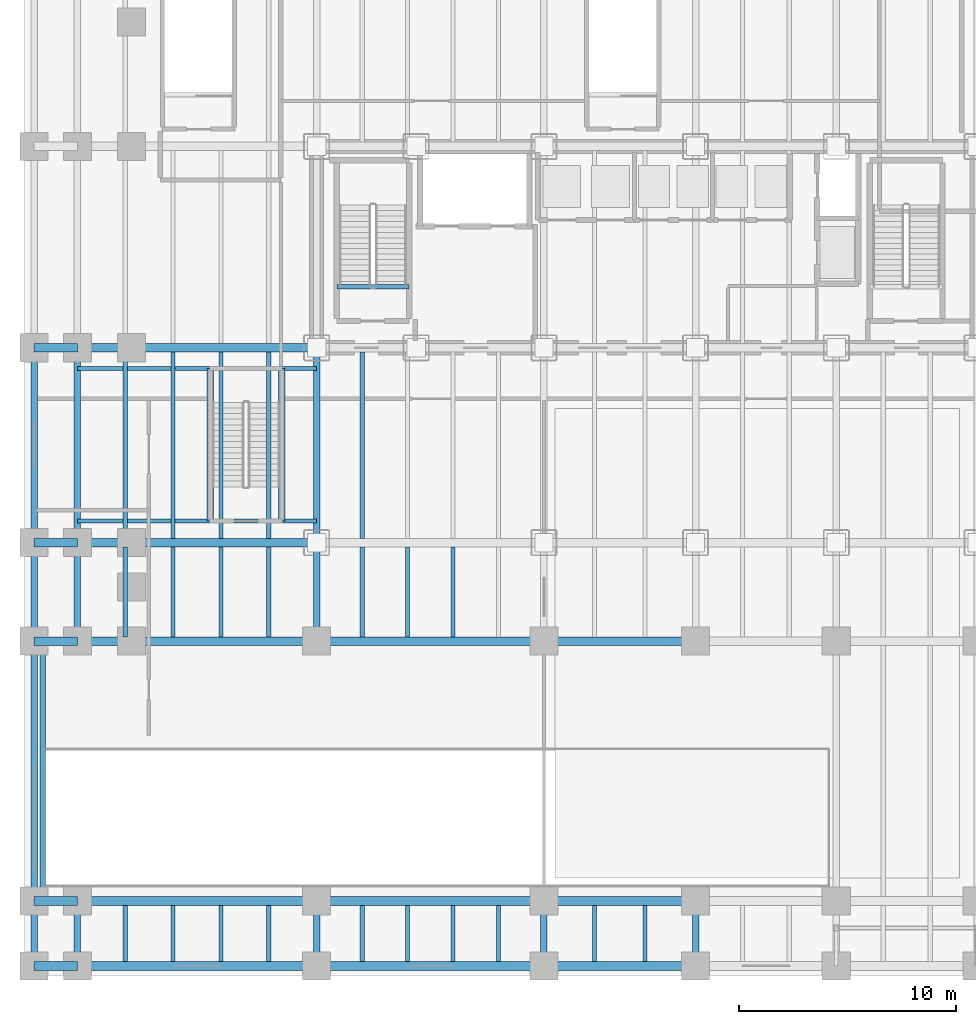
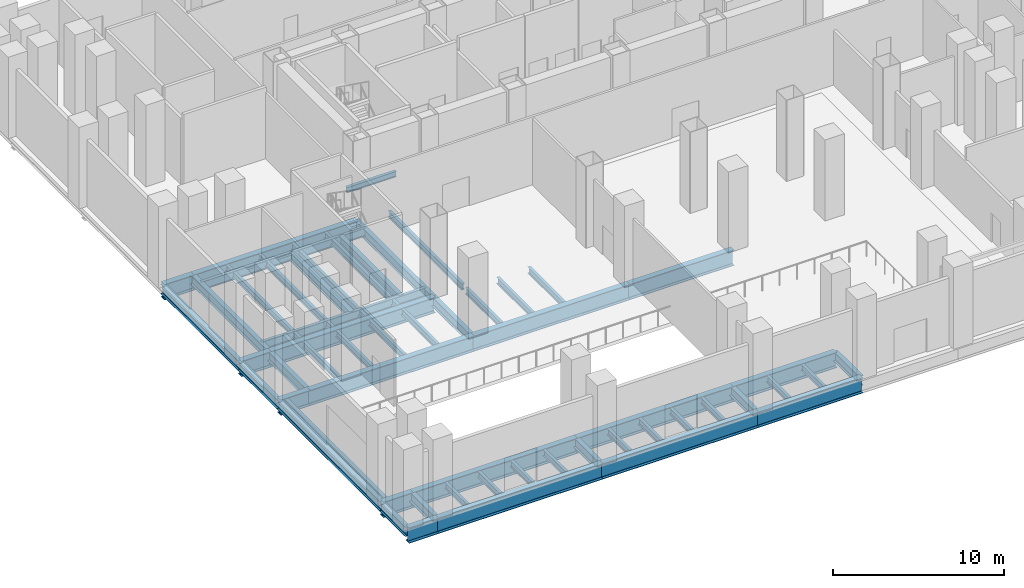
# One storey, part 6 of 36: 56 beams.
"""IFC4 building model written with IfcOpenShell, lengths in metres."""

from ifc_helpers import new_model, si_unit, direction, frame, origin, origin_2d, place, context, subcontext, project, spatial, i_section, extrude, material, material_profile, profile_set, type_object, element, save


model = new_model("IFC4")

# Units and contexts
model_context = context("Model", 3, precision=1e-05, world=origin(), true_north=direction((0.0, 1.0)))
body_context = subcontext(model_context, "Body", "Model", "MODEL_VIEW")
ifc_project = project(units=[si_unit("LENGTHUNIT", "METRE"), si_unit("AREAUNIT", "SQUARE_METRE"), si_unit("VOLUMEUNIT", "CUBIC_METRE"), si_unit("PLANEANGLEUNIT", "RADIAN"), si_unit("MASSUNIT", "GRAM", prefix="KILO")], contexts=[model_context])

# Site, building, storey
site_placement = place(None, origin())
site = spatial("IfcSite", under=ifc_project, at=site_placement, CompositionType="ELEMENT")
building_placement = place(site_placement, origin())
building = spatial("IfcBuilding", under=site, at=building_placement, Name="Noeulbin Bourse Tower", CompositionType="ELEMENT")
storey_placement = place(building_placement, origin())
storey = spatial("IfcBuildingStorey", under=building, at=storey_placement, Name="L01", CompositionType="ELEMENT", Elevation=0.0)

# Beams
ifc_material_1 = material(Name="Steel S355", Category="steel")
ifc_material_profile_1 = material_profile(ifc_material_1, i_section(OverallWidth=0.300048828125, OverallDepth=0.587890625, WebThickness=0.011962890625, FlangeThickness=0.02001953125, FilletRadius=0.02392578125, at=origin_2d()), Name="H-588x300x12x20", Category="LoadBearing")
ifc_profile_set_1 = profile_set([ifc_material_profile_1], Name="Steel S355")
beam_type_1 = type_object("IfcBeamType", Name="BM-GRD-588", PredefinedType="USERDEFINED", material=ifc_profile_set_1)
for number, where, z_axis, x_axis, name in (
    (1, (8.580078125, 21.0, -0.5439453125), (0.0, 1.0, 0.0), (-1.0, 0.0, 0.0), "Stair Shaft Tie Beam STP1-X1"),
    (2, (11.89990234375, 21.0, -0.5439453125), (0.0, 1.0, 0.0), (-1.0, 0.0, 0.0), "Stair Shaft Tie Beam STP1-X2"),
):
    element("IfcBeam", number, at=place(storey_placement, frame(where, z_axis=z_axis, x_axis=x_axis)), inside=storey, type_object=beam_type_1, Name=name, ObjectType="GIRDER", PredefinedType="USERDEFINED", context=body_context, shape_type="SweptSolid", body=[
        extrude(i_section(OverallWidth=0.300048828125, OverallDepth=0.587890625, WebThickness=0.011962890625, FlangeThickness=0.02001953125, FilletRadius=0.02392578125, at=origin_2d()), origin(), (0.0, 0.0, 1.0), 7.0400390625),
    ])
ifc_material_profile_2 = material_profile(ifc_material_1, i_section(OverallWidth=0.199951171875, OverallDepth=0.60009765625, WebThickness=0.010986328125, FlangeThickness=0.01708984375, FilletRadius=0.02197265625, at=origin_2d()), Name="H-600x200x11x17", Category="LoadBearing")
ifc_profile_set_2 = profile_set([ifc_material_profile_2], Name="Steel S355")
beam_type_2 = type_object("IfcBeamType", Name="BM-GRD-600", PredefinedType="USERDEFINED", material=ifc_profile_set_2)
for number, where, z_axis, x_axis, name in (
    (3, (2.449951171875, 21.0, -0.550048828125), (1.0, 0.0, 0.0), (0.0, 1.0, 0.0), "Stair Shaft Support Girder STP1-Y1"),
    (4, (2.449951171875, 28.0400390625, -0.550048828125), (1.0, 0.0, 0.0), (0.0, 1.0, 0.0), "Stair Shaft Support Girder STP1-Y2"),
):
    element("IfcBeam", number, at=place(storey_placement, frame(where, z_axis=z_axis, x_axis=x_axis)), inside=storey, type_object=beam_type_2, Name=name, ObjectType="GIRDER", PredefinedType="USERDEFINED", context=body_context, shape_type="SweptSolid", body=[
        extrude(i_section(OverallWidth=0.199951171875, OverallDepth=0.60009765625, WebThickness=0.010986328125, FlangeThickness=0.01708984375, FilletRadius=0.02197265625, at=origin_2d()), origin(), (0.0, 0.0, 1.0), 11.050048828125),
    ])
ifc_material_profile_3 = material_profile(ifc_material_1, i_section(OverallWidth=0.300048828125, OverallDepth=0.699951171875, WebThickness=0.012939453125, FlangeThickness=0.02392578125, FilletRadius=0.02392578125, at=origin_2d()), Name="H-700x300x13x24", Category="LoadBearing")
ifc_profile_set_3 = profile_set([ifc_material_profile_3], Name="Steel S355")
beam_type_3 = type_object("IfcBeamType", Name="BM-GRD-700", PredefinedType="USERDEFINED", material=ifc_profile_set_3)
beam_1_placement = place(storey_placement, frame((0.449951171875, 0.449951171875, -0.60009765625), z_axis=(0.0, 1.0, 0.0), x_axis=(-1.0, 0.0, 0.0)))
element("IfcBeam", 5, at=beam_1_placement, inside=storey, type_object=beam_type_3, Name="Podium Primary Girder NS L01-073", ObjectType="GIRDER", PredefinedType="USERDEFINED", context=body_context, shape_type="SweptSolid", body=[
    extrude(i_section(OverallWidth=0.300048828125, OverallDepth=0.699951171875, WebThickness=0.012939453125, FlangeThickness=0.02392578125, FilletRadius=0.02392578125, at=origin_2d()), origin(), (0.0, 0.0, 1.0), 3.0),
])
beam_2_placement = place(storey_placement, frame((0.449951171875, 3.449951171875, -0.60009765625), z_axis=(0.0, 1.0, 0.0), x_axis=(-1.0, 0.0, 0.0)))
element("IfcBeam", 6, at=beam_2_placement, inside=storey, type_object=beam_type_3, Name="Podium Primary Girder NS L01-074", ObjectType="GIRDER", PredefinedType="USERDEFINED", context=body_context, shape_type="SweptSolid", body=[
    extrude(i_section(OverallWidth=0.300048828125, OverallDepth=0.699951171875, WebThickness=0.012939453125, FlangeThickness=0.02392578125, FilletRadius=0.02392578125, at=origin_2d()), origin(), (0.0, 0.0, 1.0), 12.0),
])
beam_3_placement = place(storey_placement, frame((0.449951171875, 15.449951171875, -0.60009765625), z_axis=(0.0, 1.0, 0.0), x_axis=(-1.0, 0.0, 0.0)))
element("IfcBeam", 7, at=beam_3_placement, inside=storey, type_object=beam_type_3, Name="Podium Primary Girder NS L01-075", ObjectType="GIRDER", PredefinedType="USERDEFINED", context=body_context, shape_type="SweptSolid", body=[
    extrude(i_section(OverallWidth=0.300048828125, OverallDepth=0.699951171875, WebThickness=0.012939453125, FlangeThickness=0.02392578125, FilletRadius=0.02392578125, at=origin_2d()), origin(), (0.0, 0.0, 1.0), 4.550048828125),
])
beam_4_placement = place(storey_placement, frame((0.449951171875, 20.0, -0.60009765625), z_axis=(0.0, 1.0, 0.0), x_axis=(-1.0, 0.0, 0.0)))
element("IfcBeam", 8, at=beam_4_placement, inside=storey, type_object=beam_type_3, Name="Podium Primary Girder NS L01-076", ObjectType="GIRDER", PredefinedType="USERDEFINED", context=body_context, shape_type="SweptSolid", body=[
    extrude(i_section(OverallWidth=0.300048828125, OverallDepth=0.699951171875, WebThickness=0.012939453125, FlangeThickness=0.02392578125, FilletRadius=0.02392578125, at=origin_2d()), origin(), (0.0, 0.0, 1.0), 9.0),
])
beam_5_placement = place(storey_placement, frame((2.449951171875, 0.449951171875, -0.60009765625), z_axis=(0.0, 1.0, 0.0), x_axis=(-1.0, 0.0, 0.0)))
element("IfcBeam", 9, at=beam_5_placement, inside=storey, type_object=beam_type_3, Name="Podium Primary Girder NS L01-081", ObjectType="GIRDER", PredefinedType="USERDEFINED", context=body_context, shape_type="SweptSolid", body=[
    extrude(i_section(OverallWidth=0.300048828125, OverallDepth=0.699951171875, WebThickness=0.012939453125, FlangeThickness=0.02392578125, FilletRadius=0.02392578125, at=origin_2d()), origin(), (0.0, 0.0, 1.0), 3.0),
])
beam_6_placement = place(storey_placement, frame((2.449951171875, 15.449951171875, -0.60009765625), z_axis=(0.0, 1.0, 0.0), x_axis=(-1.0, 0.0, 0.0)))
element("IfcBeam", 10, at=beam_6_placement, inside=storey, type_object=beam_type_3, Name="Podium Primary Girder NS L01-082", ObjectType="GIRDER", PredefinedType="USERDEFINED", context=body_context, shape_type="SweptSolid", body=[
    extrude(i_section(OverallWidth=0.300048828125, OverallDepth=0.699951171875, WebThickness=0.012939453125, FlangeThickness=0.02392578125, FilletRadius=0.02392578125, at=origin_2d()), origin(), (0.0, 0.0, 1.0), 4.550048828125),
])
beam_7_placement = place(storey_placement, frame((2.449951171875, 20.0, -0.60009765625), z_axis=(0.0, 1.0, 0.0), x_axis=(-1.0, 0.0, 0.0)))
element("IfcBeam", 11, at=beam_7_placement, inside=storey, type_object=beam_type_3, Name="Podium Primary Girder NS L01-083", ObjectType="GIRDER", PredefinedType="USERDEFINED", context=body_context, shape_type="SweptSolid", body=[
    extrude(i_section(OverallWidth=0.300048828125, OverallDepth=0.699951171875, WebThickness=0.012939453125, FlangeThickness=0.02392578125, FilletRadius=0.02392578125, at=origin_2d()), origin(), (0.0, 0.0, 1.0), 9.0),
])
beam_8_placement = place(storey_placement, frame((13.5, 0.449951171875, -0.60009765625), z_axis=(0.0, 1.0, 0.0), x_axis=(-1.0, 0.0, 0.0)))
element("IfcBeam", 12, at=beam_8_placement, inside=storey, type_object=beam_type_3, Name="Podium Primary Girder NS L01-088", ObjectType="GIRDER", PredefinedType="USERDEFINED", context=body_context, shape_type="SweptSolid", body=[
    extrude(i_section(OverallWidth=0.300048828125, OverallDepth=0.699951171875, WebThickness=0.012939453125, FlangeThickness=0.02392578125, FilletRadius=0.02392578125, at=origin_2d()), origin(), (0.0, 0.0, 1.0), 3.0),
])
beam_9_placement = place(storey_placement, frame((13.5, 15.449951171875, -0.60009765625), z_axis=(0.0, 1.0, 0.0), x_axis=(-1.0, 0.0, 0.0)))
element("IfcBeam", 13, at=beam_9_placement, inside=storey, type_object=beam_type_3, Name="Podium Primary Girder NS L01-089", ObjectType="GIRDER", PredefinedType="USERDEFINED", context=body_context, shape_type="SweptSolid", body=[
    extrude(i_section(OverallWidth=0.300048828125, OverallDepth=0.699951171875, WebThickness=0.012939453125, FlangeThickness=0.02392578125, FilletRadius=0.02392578125, at=origin_2d()), origin(), (0.0, 0.0, 1.0), 4.550048828125),
])
beam_10_placement = place(storey_placement, frame((13.5, 20.0, -0.60009765625), z_axis=(0.0, 1.0, 0.0), x_axis=(-1.0, 0.0, 0.0)))
element("IfcBeam", 14, at=beam_10_placement, inside=storey, type_object=beam_type_3, Name="Podium Primary Girder NS L01-090", ObjectType="GIRDER", PredefinedType="USERDEFINED", context=body_context, shape_type="SweptSolid", body=[
    extrude(i_section(OverallWidth=0.300048828125, OverallDepth=0.699951171875, WebThickness=0.012939453125, FlangeThickness=0.02392578125, FilletRadius=0.02392578125, at=origin_2d()), origin(), (0.0, 0.0, 1.0), 9.0),
])
for number, where, z_axis, x_axis, name in (
    (15, (24.0, 0.449951171875, -0.60009765625), (0.0, 1.0, 0.0), (-1.0, 0.0, 0.0), "Podium Primary Girder NS L01-095"),
    (16, (31.0, 0.449951171875, -0.60009765625), (0.0, 1.0, 0.0), (-1.0, 0.0, 0.0), "Podium Primary Girder NS L01-102"),
):
    element("IfcBeam", number, at=place(storey_placement, frame(where, z_axis=z_axis, x_axis=x_axis)), inside=storey, type_object=beam_type_3, Name=name, ObjectType="GIRDER", PredefinedType="USERDEFINED", context=body_context, shape_type="SweptSolid", body=[
        extrude(i_section(OverallWidth=0.300048828125, OverallDepth=0.699951171875, WebThickness=0.012939453125, FlangeThickness=0.02392578125, FilletRadius=0.02392578125, at=origin_2d()), origin(), (0.0, 0.0, 1.0), 3.0),
    ])
ifc_material_profile_4 = material_profile(ifc_material_1, i_section(OverallWidth=0.25, OverallDepth=0.75, WebThickness=0.012939453125, FlangeThickness=0.02392578125, FilletRadius=0.02392578125, at=origin_2d()), Name="H-750x250x13x24", Category="LoadBearing")
ifc_profile_set_4 = profile_set([ifc_material_profile_4], Name="Steel S355")
beam_type_4 = type_object("IfcBeamType", Name="BM-GRD-750", PredefinedType="USERDEFINED", material=ifc_profile_set_4)
beam_11_placement = place(storey_placement, frame((0.85009765625, 3.449951171875, -0.675048828125), z_axis=(0.0, 1.0, 0.0), x_axis=(-1.0, 0.0, 0.0)))
element("IfcBeam", 17, at=beam_11_placement, inside=storey, type_object=beam_type_4, Name="BM-L01-RMP-HDR-W2", ObjectType="GIRDER", PredefinedType="USERDEFINED", context=body_context, shape_type="SweptSolid", body=[
    extrude(i_section(OverallWidth=0.25, OverallDepth=0.75, WebThickness=0.012939453125, FlangeThickness=0.02392578125, FilletRadius=0.02392578125, at=origin_2d()), origin(), (0.0, 0.0, 1.0), 12.0),
])
ifc_material_profile_5 = material_profile(ifc_material_1, i_section(OverallWidth=0.199951171875, OverallDepth=0.39990234375, WebThickness=0.008056640625, FlangeThickness=0.012939453125, FilletRadius=0.01611328125, at=origin_2d()), Name="H-400x200x8x13", Category="LoadBearing")
ifc_profile_set_5 = profile_set([ifc_material_profile_5], Name="Steel S355")
beam_type_5 = type_object("IfcBeamType", Name="BM-SEC-400", PredefinedType="BEAM", material=ifc_profile_set_5)
beam_12_placement = place(storey_placement, frame((14.429931640625, 31.820068359375, -0.199951171875), z_axis=(1.0, 0.0, 0.0), x_axis=(0.0, 1.0, 0.0)))
element("IfcBeam", 18, at=beam_12_placement, inside=storey, type_object=beam_type_5, Name="Stair Threshold Trimmer Beam ST1-L01", PredefinedType="BEAM", context=body_context, shape_type="SweptSolid", body=[
    extrude(i_section(OverallWidth=0.199951171875, OverallDepth=0.39990234375, WebThickness=0.008056640625, FlangeThickness=0.012939453125, FilletRadius=0.01611328125, at=origin_2d()), origin(), (0.0, 0.0, 1.0), 3.340087890625),
])
ifc_material_profile_6 = material_profile(ifc_material_1, i_section(OverallWidth=0.199951171875, OverallDepth=0.449951171875, WebThickness=0.009033203125, FlangeThickness=0.013916015625, FilletRadius=0.01806640625, at=origin_2d()), Name="H-450x200x9x14", Category="LoadBearing")
ifc_profile_set_6 = profile_set([ifc_material_profile_6], Name="Steel S355")
beam_type_6 = type_object("IfcBeamType", Name="BM-SEC-450", PredefinedType="BEAM", material=ifc_profile_set_6)
beam_13_placement = place(storey_placement, frame((4.659912109375, 0.64990234375, -0.47509765625), z_axis=(0.0, 1.0, 0.0), x_axis=(-1.0, 0.0, 0.0)))
element("IfcBeam", 19, at=beam_13_placement, inside=storey, type_object=beam_type_6, Name="Podium Secondary Beam L01-001", PredefinedType="BEAM", context=body_context, shape_type="SweptSolid", body=[
    extrude(i_section(OverallWidth=0.199951171875, OverallDepth=0.449951171875, WebThickness=0.009033203125, FlangeThickness=0.013916015625, FilletRadius=0.01806640625, at=origin_2d()), origin(), (0.0, 0.0, 1.0), 2.60009765625),
])
beam_14_placement = place(storey_placement, frame((4.659912109375, 15.64990234375, -0.47509765625), z_axis=(0.0, 1.0, 0.0), x_axis=(-1.0, 0.0, 0.0)))
element("IfcBeam", 20, at=beam_14_placement, inside=storey, type_object=beam_type_6, Name="Podium Secondary Beam L01-002", PredefinedType="BEAM", context=body_context, shape_type="SweptSolid", body=[
    extrude(i_section(OverallWidth=0.199951171875, OverallDepth=0.449951171875, WebThickness=0.009033203125, FlangeThickness=0.013916015625, FilletRadius=0.01806640625, at=origin_2d()), origin(), (0.0, 0.0, 1.0), 4.150146484375),
])
beam_15_placement = place(storey_placement, frame((4.659912109375, 20.199951171875, -0.47509765625), z_axis=(0.0, 1.0, 0.0), x_axis=(-1.0, 0.0, 0.0)))
element("IfcBeam", 21, at=beam_15_placement, inside=storey, type_object=beam_type_6, Name="Podium Secondary Beam L01-003", PredefinedType="BEAM", context=body_context, shape_type="SweptSolid", body=[
    extrude(i_section(OverallWidth=0.199951171875, OverallDepth=0.449951171875, WebThickness=0.009033203125, FlangeThickness=0.013916015625, FilletRadius=0.01806640625, at=origin_2d()), origin(), (0.0, 0.0, 1.0), 8.60009765625),
])
beam_16_placement = place(storey_placement, frame((6.8701171875, 0.64990234375, -0.47509765625), z_axis=(0.0, 1.0, 0.0), x_axis=(-1.0, 0.0, 0.0)))
element("IfcBeam", 22, at=beam_16_placement, inside=storey, type_object=beam_type_6, Name="Podium Secondary Beam L01-008", PredefinedType="BEAM", context=body_context, shape_type="SweptSolid", body=[
    extrude(i_section(OverallWidth=0.199951171875, OverallDepth=0.449951171875, WebThickness=0.009033203125, FlangeThickness=0.013916015625, FilletRadius=0.01806640625, at=origin_2d()), origin(), (0.0, 0.0, 1.0), 2.60009765625),
])
beam_17_placement = place(storey_placement, frame((6.8701171875, 15.64990234375, -0.47509765625), z_axis=(0.0, 1.0, 0.0), x_axis=(-1.0, 0.0, 0.0)))
element("IfcBeam", 23, at=beam_17_placement, inside=storey, type_object=beam_type_6, Name="Podium Secondary Beam L01-009", PredefinedType="BEAM", context=body_context, shape_type="SweptSolid", body=[
    extrude(i_section(OverallWidth=0.199951171875, OverallDepth=0.449951171875, WebThickness=0.009033203125, FlangeThickness=0.013916015625, FilletRadius=0.01806640625, at=origin_2d()), origin(), (0.0, 0.0, 1.0), 4.150146484375),
])
beam_18_placement = place(storey_placement, frame((6.8701171875, 20.199951171875, -0.47509765625), z_axis=(0.0, 1.0, 0.0), x_axis=(-1.0, 0.0, 0.0)))
element("IfcBeam", 24, at=beam_18_placement, inside=storey, type_object=beam_type_6, Name="Podium Secondary Beam L01-010", PredefinedType="BEAM", context=body_context, shape_type="SweptSolid", body=[
    extrude(i_section(OverallWidth=0.199951171875, OverallDepth=0.449951171875, WebThickness=0.009033203125, FlangeThickness=0.013916015625, FilletRadius=0.01806640625, at=origin_2d()), origin(), (0.0, 0.0, 1.0), 8.60009765625),
])
beam_19_placement = place(storey_placement, frame((9.080078125, 0.64990234375, -0.47509765625), z_axis=(0.0, 1.0, 0.0), x_axis=(-1.0, 0.0, 0.0)))
element("IfcBeam", 25, at=beam_19_placement, inside=storey, type_object=beam_type_6, Name="Podium Secondary Beam L01-014", PredefinedType="BEAM", context=body_context, shape_type="SweptSolid", body=[
    extrude(i_section(OverallWidth=0.199951171875, OverallDepth=0.449951171875, WebThickness=0.009033203125, FlangeThickness=0.013916015625, FilletRadius=0.01806640625, at=origin_2d()), origin(), (0.0, 0.0, 1.0), 2.60009765625),
])
beam_20_placement = place(storey_placement, frame((9.080078125, 15.64990234375, -0.47509765625), z_axis=(0.0, 1.0, 0.0), x_axis=(-1.0, 0.0, 0.0)))
element("IfcBeam", 26, at=beam_20_placement, inside=storey, type_object=beam_type_6, Name="Podium Secondary Beam L01-015", PredefinedType="BEAM", context=body_context, shape_type="SweptSolid", body=[
    extrude(i_section(OverallWidth=0.199951171875, OverallDepth=0.449951171875, WebThickness=0.009033203125, FlangeThickness=0.013916015625, FilletRadius=0.01806640625, at=origin_2d()), origin(), (0.0, 0.0, 1.0), 4.150146484375),
])
beam_21_placement = place(storey_placement, frame((9.080078125, 20.199951171875, -0.47509765625), z_axis=(0.0, 1.0, 0.0), x_axis=(-1.0, 0.0, 0.0)))
element("IfcBeam", 27, at=beam_21_placement, inside=storey, type_object=beam_type_6, Name="Podium Secondary Beam L01-016", PredefinedType="BEAM", context=body_context, shape_type="SweptSolid", body=[
    extrude(i_section(OverallWidth=0.199951171875, OverallDepth=0.449951171875, WebThickness=0.009033203125, FlangeThickness=0.013916015625, FilletRadius=0.01806640625, at=origin_2d()), origin(), (0.0, 0.0, 1.0), 8.60009765625),
])
beam_22_placement = place(storey_placement, frame((11.2900390625, 0.64990234375, -0.47509765625), z_axis=(0.0, 1.0, 0.0), x_axis=(-1.0, 0.0, 0.0)))
element("IfcBeam", 28, at=beam_22_placement, inside=storey, type_object=beam_type_6, Name="Podium Secondary Beam L01-020", PredefinedType="BEAM", context=body_context, shape_type="SweptSolid", body=[
    extrude(i_section(OverallWidth=0.199951171875, OverallDepth=0.449951171875, WebThickness=0.009033203125, FlangeThickness=0.013916015625, FilletRadius=0.01806640625, at=origin_2d()), origin(), (0.0, 0.0, 1.0), 2.60009765625),
])
beam_23_placement = place(storey_placement, frame((11.2900390625, 15.64990234375, -0.47509765625), z_axis=(0.0, 1.0, 0.0), x_axis=(-1.0, 0.0, 0.0)))
element("IfcBeam", 29, at=beam_23_placement, inside=storey, type_object=beam_type_6, Name="Podium Secondary Beam L01-021", PredefinedType="BEAM", context=body_context, shape_type="SweptSolid", body=[
    extrude(i_section(OverallWidth=0.199951171875, OverallDepth=0.449951171875, WebThickness=0.009033203125, FlangeThickness=0.013916015625, FilletRadius=0.01806640625, at=origin_2d()), origin(), (0.0, 0.0, 1.0), 4.150146484375),
])
beam_24_placement = place(storey_placement, frame((11.2900390625, 20.199951171875, -0.47509765625), z_axis=(0.0, 1.0, 0.0), x_axis=(-1.0, 0.0, 0.0)))
element("IfcBeam", 30, at=beam_24_placement, inside=storey, type_object=beam_type_6, Name="Podium Secondary Beam L01-022", PredefinedType="BEAM", context=body_context, shape_type="SweptSolid", body=[
    extrude(i_section(OverallWidth=0.199951171875, OverallDepth=0.449951171875, WebThickness=0.009033203125, FlangeThickness=0.013916015625, FilletRadius=0.01806640625, at=origin_2d()), origin(), (0.0, 0.0, 1.0), 8.60009765625),
])
beam_25_placement = place(storey_placement, frame((15.60009765625, 0.64990234375, -0.47509765625), z_axis=(0.0, 1.0, 0.0), x_axis=(-1.0, 0.0, 0.0)))
element("IfcBeam", 31, at=beam_25_placement, inside=storey, type_object=beam_type_6, Name="Podium Secondary Beam L01-027", PredefinedType="BEAM", context=body_context, shape_type="SweptSolid", body=[
    extrude(i_section(OverallWidth=0.199951171875, OverallDepth=0.449951171875, WebThickness=0.009033203125, FlangeThickness=0.013916015625, FilletRadius=0.01806640625, at=origin_2d()), origin(), (0.0, 0.0, 1.0), 2.60009765625),
])
beam_26_placement = place(storey_placement, frame((15.60009765625, 15.64990234375, -0.47509765625), z_axis=(0.0, 1.0, 0.0), x_axis=(-1.0, 0.0, 0.0)))
element("IfcBeam", 32, at=beam_26_placement, inside=storey, type_object=beam_type_6, Name="Podium Secondary Beam L01-028", PredefinedType="BEAM", context=body_context, shape_type="SweptSolid", body=[
    extrude(i_section(OverallWidth=0.199951171875, OverallDepth=0.449951171875, WebThickness=0.009033203125, FlangeThickness=0.013916015625, FilletRadius=0.01806640625, at=origin_2d()), origin(), (0.0, 0.0, 1.0), 4.150146484375),
])
beam_27_placement = place(storey_placement, frame((15.60009765625, 20.199951171875, -0.47509765625), z_axis=(0.0, 1.0, 0.0), x_axis=(-1.0, 0.0, 0.0)))
element("IfcBeam", 33, at=beam_27_placement, inside=storey, type_object=beam_type_6, Name="Podium Secondary Beam L01-029", PredefinedType="BEAM", context=body_context, shape_type="SweptSolid", body=[
    extrude(i_section(OverallWidth=0.199951171875, OverallDepth=0.449951171875, WebThickness=0.009033203125, FlangeThickness=0.013916015625, FilletRadius=0.01806640625, at=origin_2d()), origin(), (0.0, 0.0, 1.0), 8.60009765625),
])
beam_28_placement = place(storey_placement, frame((17.699951171875, 0.64990234375, -0.47509765625), z_axis=(0.0, 1.0, 0.0), x_axis=(-1.0, 0.0, 0.0)))
element("IfcBeam", 34, at=beam_28_placement, inside=storey, type_object=beam_type_6, Name="Podium Secondary Beam L01-033", PredefinedType="BEAM", context=body_context, shape_type="SweptSolid", body=[
    extrude(i_section(OverallWidth=0.199951171875, OverallDepth=0.449951171875, WebThickness=0.009033203125, FlangeThickness=0.013916015625, FilletRadius=0.01806640625, at=origin_2d()), origin(), (0.0, 0.0, 1.0), 2.60009765625),
])
beam_29_placement = place(storey_placement, frame((17.699951171875, 15.64990234375, -0.47509765625), z_axis=(0.0, 1.0, 0.0), x_axis=(-1.0, 0.0, 0.0)))
element("IfcBeam", 35, at=beam_29_placement, inside=storey, type_object=beam_type_6, Name="Podium Secondary Beam L01-034", PredefinedType="BEAM", context=body_context, shape_type="SweptSolid", body=[
    extrude(i_section(OverallWidth=0.199951171875, OverallDepth=0.449951171875, WebThickness=0.009033203125, FlangeThickness=0.013916015625, FilletRadius=0.01806640625, at=origin_2d()), origin(), (0.0, 0.0, 1.0), 4.150146484375),
])
beam_30_placement = place(storey_placement, frame((19.800048828125, 0.64990234375, -0.47509765625), z_axis=(0.0, 1.0, 0.0), x_axis=(-1.0, 0.0, 0.0)))
element("IfcBeam", 36, at=beam_30_placement, inside=storey, type_object=beam_type_6, Name="Podium Secondary Beam L01-039", PredefinedType="BEAM", context=body_context, shape_type="SweptSolid", body=[
    extrude(i_section(OverallWidth=0.199951171875, OverallDepth=0.449951171875, WebThickness=0.009033203125, FlangeThickness=0.013916015625, FilletRadius=0.01806640625, at=origin_2d()), origin(), (0.0, 0.0, 1.0), 2.60009765625),
])
beam_31_placement = place(storey_placement, frame((19.800048828125, 15.64990234375, -0.47509765625), z_axis=(0.0, 1.0, 0.0), x_axis=(-1.0, 0.0, 0.0)))
element("IfcBeam", 37, at=beam_31_placement, inside=storey, type_object=beam_type_6, Name="Podium Secondary Beam L01-040", PredefinedType="BEAM", context=body_context, shape_type="SweptSolid", body=[
    extrude(i_section(OverallWidth=0.199951171875, OverallDepth=0.449951171875, WebThickness=0.009033203125, FlangeThickness=0.013916015625, FilletRadius=0.01806640625, at=origin_2d()), origin(), (0.0, 0.0, 1.0), 4.150146484375),
])
for number, where, z_axis, x_axis, name in (
    (38, (21.89990234375, 0.64990234375, -0.47509765625), (0.0, 1.0, 0.0), (-1.0, 0.0, 0.0), "Podium Secondary Beam L01-045"),
    (39, (26.333251953125, 0.64990234375, -0.47509765625), (0.0, 1.0, 0.0), (-1.0, 0.0, 0.0), "Podium Secondary Beam L01-051"),
    (40, (28.666748046875, 0.64990234375, -0.47509765625), (0.0, 1.0, 0.0), (-1.0, 0.0, 0.0), "Podium Secondary Beam L01-057"),
):
    element("IfcBeam", number, at=place(storey_placement, frame(where, z_axis=z_axis, x_axis=x_axis)), inside=storey, type_object=beam_type_6, Name=name, PredefinedType="BEAM", context=body_context, shape_type="SweptSolid", body=[
        extrude(i_section(OverallWidth=0.199951171875, OverallDepth=0.449951171875, WebThickness=0.009033203125, FlangeThickness=0.013916015625, FilletRadius=0.01806640625, at=origin_2d()), origin(), (0.0, 0.0, 1.0), 2.60009765625),
    ])
ifc_material_2 = material(Name="Steel S460", Category="steel")
ifc_material_profile_7 = material_profile(ifc_material_2, i_section(OverallWidth=0.39990234375, OverallDepth=1.10009765625, WebThickness=0.02001953125, FlangeThickness=0.035888671875, FilletRadius=0.02392578125, at=origin_2d()), Name="PG-1100x400x20x36", Category="LoadBearing")
ifc_profile_set_7 = profile_set([ifc_material_profile_7], Name="Steel S460")
beam_type_7 = type_object("IfcBeamType", Name="BM-TRF-1100", PredefinedType="USERDEFINED", material=ifc_profile_set_7)
beam_32_placement = place(storey_placement, frame((0.449951171875, 0.449951171875, -0.800048828125), z_axis=(1.0, 0.0, 0.0), x_axis=(0.0, 1.0, 0.0)))
element("IfcBeam", 41, at=beam_32_placement, inside=storey, type_object=beam_type_7, Name="Podium Primary Girder EW L01-001", ObjectType="GIRDER", PredefinedType="USERDEFINED", context=body_context, shape_type="SweptSolid", body=[
    extrude(i_section(OverallWidth=0.39990234375, OverallDepth=1.10009765625, WebThickness=0.02001953125, FlangeThickness=0.035888671875, FilletRadius=0.02392578125, at=origin_2d()), origin(), (0.0, 0.0, 1.0), 2.0),
])
beam_33_placement = place(storey_placement, frame((2.449951171875, 0.449951171875, -0.800048828125), z_axis=(1.0, 0.0, 0.0), x_axis=(0.0, 1.0, 0.0)))
element("IfcBeam", 42, at=beam_33_placement, inside=storey, type_object=beam_type_7, Name="Podium Primary Girder EW L01-002", ObjectType="GIRDER", PredefinedType="USERDEFINED", context=body_context, shape_type="SweptSolid", body=[
    extrude(i_section(OverallWidth=0.39990234375, OverallDepth=1.10009765625, WebThickness=0.02001953125, FlangeThickness=0.035888671875, FilletRadius=0.02392578125, at=origin_2d()), origin(), (0.0, 0.0, 1.0), 11.050048828125),
])
beam_34_placement = place(storey_placement, frame((13.5, 0.449951171875, -0.800048828125), z_axis=(1.0, 0.0, 0.0), x_axis=(0.0, 1.0, 0.0)))
element("IfcBeam", 43, at=beam_34_placement, inside=storey, type_object=beam_type_7, Name="Podium Primary Girder EW L01-003", ObjectType="GIRDER", PredefinedType="USERDEFINED", context=body_context, shape_type="SweptSolid", body=[
    extrude(i_section(OverallWidth=0.39990234375, OverallDepth=1.10009765625, WebThickness=0.02001953125, FlangeThickness=0.035888671875, FilletRadius=0.02392578125, at=origin_2d()), origin(), (0.0, 0.0, 1.0), 10.5),
])
beam_35_placement = place(storey_placement, frame((24.0, 0.449951171875, -0.800048828125), z_axis=(1.0, 0.0, 0.0), x_axis=(0.0, 1.0, 0.0)))
element("IfcBeam", 44, at=beam_35_placement, inside=storey, type_object=beam_type_7, Name="Podium Primary Girder EW L01-004", ObjectType="GIRDER", PredefinedType="USERDEFINED", context=body_context, shape_type="SweptSolid", body=[
    extrude(i_section(OverallWidth=0.39990234375, OverallDepth=1.10009765625, WebThickness=0.02001953125, FlangeThickness=0.035888671875, FilletRadius=0.02392578125, at=origin_2d()), origin(), (0.0, 0.0, 1.0), 7.0),
])
beam_36_placement = place(storey_placement, frame((0.449951171875, 3.449951171875, -0.800048828125), z_axis=(1.0, 0.0, 0.0), x_axis=(0.0, 1.0, 0.0)))
element("IfcBeam", 45, at=beam_36_placement, inside=storey, type_object=beam_type_7, Name="Podium Primary Girder EW L01-009", ObjectType="GIRDER", PredefinedType="USERDEFINED", context=body_context, shape_type="SweptSolid", body=[
    extrude(i_section(OverallWidth=0.39990234375, OverallDepth=1.10009765625, WebThickness=0.02001953125, FlangeThickness=0.035888671875, FilletRadius=0.02392578125, at=origin_2d()), origin(), (0.0, 0.0, 1.0), 2.0),
])
beam_37_placement = place(storey_placement, frame((2.449951171875, 3.449951171875, -0.800048828125), z_axis=(1.0, 0.0, 0.0), x_axis=(0.0, 1.0, 0.0)))
element("IfcBeam", 46, at=beam_37_placement, inside=storey, type_object=beam_type_7, Name="Podium Primary Girder EW L01-010", ObjectType="GIRDER", PredefinedType="USERDEFINED", context=body_context, shape_type="SweptSolid", body=[
    extrude(i_section(OverallWidth=0.39990234375, OverallDepth=1.10009765625, WebThickness=0.02001953125, FlangeThickness=0.035888671875, FilletRadius=0.02392578125, at=origin_2d()), origin(), (0.0, 0.0, 1.0), 11.050048828125),
])
beam_38_placement = place(storey_placement, frame((13.5, 3.449951171875, -0.800048828125), z_axis=(1.0, 0.0, 0.0), x_axis=(0.0, 1.0, 0.0)))
element("IfcBeam", 47, at=beam_38_placement, inside=storey, type_object=beam_type_7, Name="Podium Primary Girder EW L01-011", ObjectType="GIRDER", PredefinedType="USERDEFINED", context=body_context, shape_type="SweptSolid", body=[
    extrude(i_section(OverallWidth=0.39990234375, OverallDepth=1.10009765625, WebThickness=0.02001953125, FlangeThickness=0.035888671875, FilletRadius=0.02392578125, at=origin_2d()), origin(), (0.0, 0.0, 1.0), 10.5),
])
beam_39_placement = place(storey_placement, frame((24.0, 3.449951171875, -0.800048828125), z_axis=(1.0, 0.0, 0.0), x_axis=(0.0, 1.0, 0.0)))
element("IfcBeam", 48, at=beam_39_placement, inside=storey, type_object=beam_type_7, Name="Podium Primary Girder EW L01-012", ObjectType="GIRDER", PredefinedType="USERDEFINED", context=body_context, shape_type="SweptSolid", body=[
    extrude(i_section(OverallWidth=0.39990234375, OverallDepth=1.10009765625, WebThickness=0.02001953125, FlangeThickness=0.035888671875, FilletRadius=0.02392578125, at=origin_2d()), origin(), (0.0, 0.0, 1.0), 7.0),
])
beam_40_placement = place(storey_placement, frame((0.449951171875, 15.449951171875, -0.800048828125), z_axis=(1.0, 0.0, 0.0), x_axis=(0.0, 1.0, 0.0)))
element("IfcBeam", 49, at=beam_40_placement, inside=storey, type_object=beam_type_7, Name="Podium Primary Girder EW L01-017", ObjectType="GIRDER", PredefinedType="USERDEFINED", context=body_context, shape_type="SweptSolid", body=[
    extrude(i_section(OverallWidth=0.39990234375, OverallDepth=1.10009765625, WebThickness=0.02001953125, FlangeThickness=0.035888671875, FilletRadius=0.02392578125, at=origin_2d()), origin(), (0.0, 0.0, 1.0), 2.0),
])
beam_41_placement = place(storey_placement, frame((2.449951171875, 15.449951171875, -0.800048828125), z_axis=(1.0, 0.0, 0.0), x_axis=(0.0, 1.0, 0.0)))
element("IfcBeam", 50, at=beam_41_placement, inside=storey, type_object=beam_type_7, Name="Podium Primary Girder EW L01-018", ObjectType="GIRDER", PredefinedType="USERDEFINED", context=body_context, shape_type="SweptSolid", body=[
    extrude(i_section(OverallWidth=0.39990234375, OverallDepth=1.10009765625, WebThickness=0.02001953125, FlangeThickness=0.035888671875, FilletRadius=0.02392578125, at=origin_2d()), origin(), (0.0, 0.0, 1.0), 11.050048828125),
])
beam_42_placement = place(storey_placement, frame((13.5, 15.449951171875, -0.800048828125), z_axis=(1.0, 0.0, 0.0), x_axis=(0.0, 1.0, 0.0)))
element("IfcBeam", 51, at=beam_42_placement, inside=storey, type_object=beam_type_7, Name="Podium Primary Girder EW L01-019", ObjectType="GIRDER", PredefinedType="USERDEFINED", context=body_context, shape_type="SweptSolid", body=[
    extrude(i_section(OverallWidth=0.39990234375, OverallDepth=1.10009765625, WebThickness=0.02001953125, FlangeThickness=0.035888671875, FilletRadius=0.02392578125, at=origin_2d()), origin(), (0.0, 0.0, 1.0), 10.5),
])
beam_43_placement = place(storey_placement, frame((24.0, 15.449951171875, -0.800048828125), z_axis=(1.0, 0.0, 0.0), x_axis=(0.0, 1.0, 0.0)))
element("IfcBeam", 52, at=beam_43_placement, inside=storey, type_object=beam_type_7, Name="Podium Primary Girder EW L01-020", ObjectType="GIRDER", PredefinedType="USERDEFINED", context=body_context, shape_type="SweptSolid", body=[
    extrude(i_section(OverallWidth=0.39990234375, OverallDepth=1.10009765625, WebThickness=0.02001953125, FlangeThickness=0.035888671875, FilletRadius=0.02392578125, at=origin_2d()), origin(), (0.0, 0.0, 1.0), 7.0),
])
beam_44_placement = place(storey_placement, frame((0.449951171875, 20.0, -0.800048828125), z_axis=(1.0, 0.0, 0.0), x_axis=(0.0, 1.0, 0.0)))
element("IfcBeam", 53, at=beam_44_placement, inside=storey, type_object=beam_type_7, Name="Podium Primary Girder EW L01-025", ObjectType="GIRDER", PredefinedType="USERDEFINED", context=body_context, shape_type="SweptSolid", body=[
    extrude(i_section(OverallWidth=0.39990234375, OverallDepth=1.10009765625, WebThickness=0.02001953125, FlangeThickness=0.035888671875, FilletRadius=0.02392578125, at=origin_2d()), origin(), (0.0, 0.0, 1.0), 2.0),
])
beam_45_placement = place(storey_placement, frame((2.449951171875, 20.0, -0.800048828125), z_axis=(1.0, 0.0, 0.0), x_axis=(0.0, 1.0, 0.0)))
element("IfcBeam", 54, at=beam_45_placement, inside=storey, type_object=beam_type_7, Name="Podium Primary Girder EW L01-026", ObjectType="GIRDER", PredefinedType="USERDEFINED", context=body_context, shape_type="SweptSolid", body=[
    extrude(i_section(OverallWidth=0.39990234375, OverallDepth=1.10009765625, WebThickness=0.02001953125, FlangeThickness=0.035888671875, FilletRadius=0.02392578125, at=origin_2d()), origin(), (0.0, 0.0, 1.0), 11.050048828125),
])
beam_46_placement = place(storey_placement, frame((0.449951171875, 29.0, -0.800048828125), z_axis=(1.0, 0.0, 0.0), x_axis=(0.0, 1.0, 0.0)))
element("IfcBeam", 55, at=beam_46_placement, inside=storey, type_object=beam_type_7, Name="Podium Primary Girder EW L01-033", ObjectType="GIRDER", PredefinedType="USERDEFINED", context=body_context, shape_type="SweptSolid", body=[
    extrude(i_section(OverallWidth=0.39990234375, OverallDepth=1.10009765625, WebThickness=0.02001953125, FlangeThickness=0.035888671875, FilletRadius=0.02392578125, at=origin_2d()), origin(), (0.0, 0.0, 1.0), 2.0),
])
beam_47_placement = place(storey_placement, frame((2.449951171875, 29.0, -0.800048828125), z_axis=(1.0, 0.0, 0.0), x_axis=(0.0, 1.0, 0.0)))
element("IfcBeam", 56, at=beam_47_placement, inside=storey, type_object=beam_type_7, Name="Podium Primary Girder EW L01-034", ObjectType="GIRDER", PredefinedType="USERDEFINED", context=body_context, shape_type="SweptSolid", body=[
    extrude(i_section(OverallWidth=0.39990234375, OverallDepth=1.10009765625, WebThickness=0.02001953125, FlangeThickness=0.035888671875, FilletRadius=0.02392578125, at=origin_2d()), origin(), (0.0, 0.0, 1.0), 11.050048828125),
])

save(model, "model.ifc")
